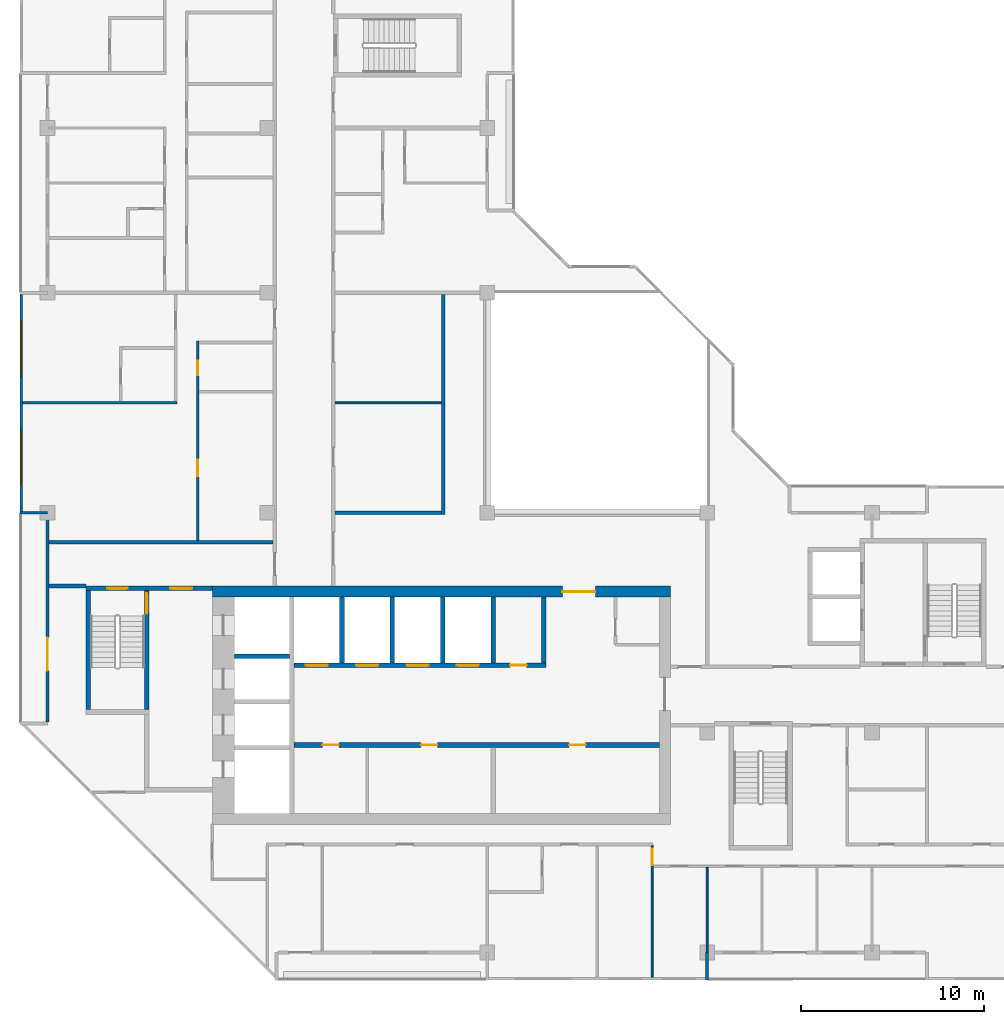
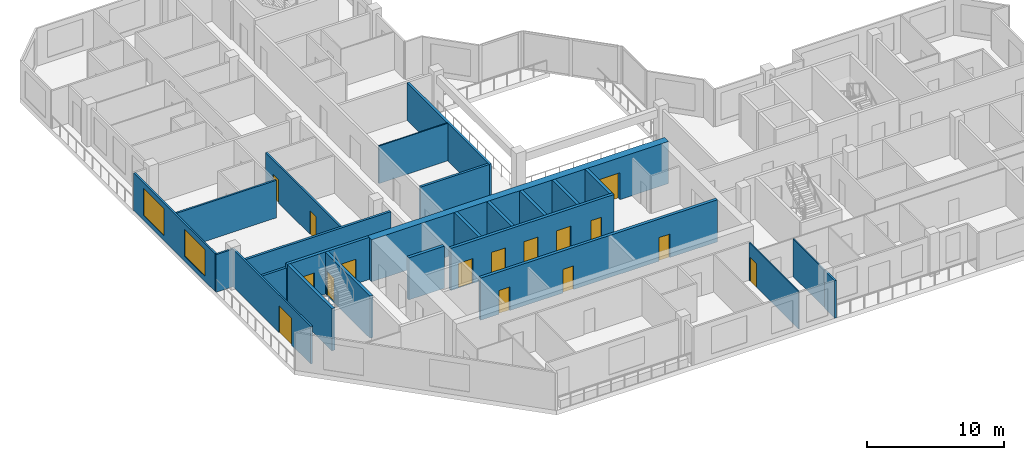
# One storey, part 5 of 13: 25 walls, 16 doors, 2 windows, 18 openings.
"""IFC4 building model written with IfcOpenShell, lengths in metres."""

from ifc_helpers import new_model, si_unit, direction, frame, frame_2d, origin, place, context, subcontext, project, spatial, rectangle, extrude, material, layer, layer_set, type_object, element, fill, save


model = new_model("IFC4")

# Units and contexts
model_context = context("Model", 3, precision=1e-05, world=origin(), true_north=direction((0.0, 1.0)))
body_context = subcontext(model_context, "Body", "Model", "MODEL_VIEW")
ifc_project = project(units=[si_unit("LENGTHUNIT", "METRE"), si_unit("AREAUNIT", "SQUARE_METRE"), si_unit("VOLUMEUNIT", "CUBIC_METRE"), si_unit("PLANEANGLEUNIT", "RADIAN"), si_unit("MASSUNIT", "GRAM", prefix="KILO")], contexts=[model_context])

# Site, building, storey
site_placement = place(None, origin())
site = spatial("IfcSite", under=ifc_project, at=site_placement, CompositionType="ELEMENT")
building_placement = place(site_placement, origin())
building = spatial("IfcBuilding", under=site, at=building_placement, Name="Chenar Terraces", CompositionType="ELEMENT")
storey_placement = place(building_placement, frame((0.0, 0.0, 299.64990234375)))
storey = spatial("IfcBuildingStorey", under=building, at=storey_placement, Name="L70", CompositionType="ELEMENT", Elevation=299.64990234375)

# Wall, openings, doors
ifc_material_1 = material(Name="Concrete C50/60", Category="concrete")
ifc_layer_1 = layer(ifc_material_1, 0.25)
ifc_layer_set_1 = layer_set([ifc_layer_1], Name="Concrete C50/60")
wall_type_1 = type_object("IfcWallType", Name="Core wall 250 Concrete C50/60", PredefinedType="SHEAR", material=ifc_layer_set_1)
wall_1_placement = place(storey_placement, frame((13.449951171875, 11.324951171875, 0.0), z_axis=(0.0, 0.0, 1.0), x_axis=(1.0, 0.0, 0.0)))
wall_1 = element("IfcWall", 1, at=wall_1_placement, inside=storey, type_object=wall_type_1, Name="Core wall SF L70", PredefinedType="SHEAR", context=body_context, shape_type="SweptSolid", body=[
    extrude(rectangle(XDim=19.949951171875, YDim=0.25, at=frame_2d((9.97509765625, 0.0))), origin(), (0.0, 0.0, 1.0), 3.75),
])
opening_1_placement = place(wall_1_placement, frame((1.550048828125, 0.0, 0.0)))
opening_1 = element("IfcOpeningElement", 2, at=opening_1_placement, cuts=wall_1, Name="Opening DL70-C12", PredefinedType="OPENING", context=body_context, shape_type="SweptSolid", body=[
    extrude(rectangle(XDim=0.89990234375, YDim=2.10009765625, at=frame_2d((0.449951171875, 1.050048828125))), frame((0.0, 0.135009765625, 0.0), z_axis=(0.0, -1.0, 0.0), x_axis=(1.0, 0.0, 0.0)), (0.0, 0.0, 1.0), 0.27001953125),
])
opening_2_placement = place(wall_1_placement, frame((6.925048828125, 0.0, 0.0)))
opening_2 = element("IfcOpeningElement", 3, at=opening_2_placement, cuts=wall_1, Name="Opening DL70-C13", PredefinedType="OPENING", context=body_context, shape_type="SweptSolid", body=[
    extrude(rectangle(XDim=0.89990234375, YDim=2.10009765625, at=frame_2d((0.449951171875, 1.050048828125))), frame((0.0, 0.135009765625, 0.0), z_axis=(0.0, -1.0, 0.0), x_axis=(1.0, 0.0, 0.0)), (0.0, 0.0, 1.0), 0.27001953125),
])
opening_3_placement = place(wall_1_placement, frame((15.02490234375, 0.0, 0.0)))
opening_3 = element("IfcOpeningElement", 4, at=opening_3_placement, cuts=wall_1, Name="Opening DL70-C14", PredefinedType="OPENING", context=body_context, shape_type="SweptSolid", body=[
    extrude(rectangle(XDim=0.89990234375, YDim=2.10009765625, at=frame_2d((0.449951171875, 1.050048828125))), frame((0.0, 0.135009765625, 0.0), z_axis=(0.0, -1.0, 0.0), x_axis=(1.0, 0.0, 0.0)), (0.0, 0.0, 1.0), 0.27001953125),
])
ifc_material_2 = material(Name="Steel-framed fire-resisting door leaf", Category="steel")
door_type_1 = type_object("IfcDoorType", Name="Riser fire door FD60 900 x 2100", OperationType="SINGLE_SWING_LEFT", PredefinedType="DOOR", material=ifc_material_2)
door_1_placement = place(opening_1_placement, frame((0.89990234375, 0.0, 0.0), z_axis=(0.0, 0.0, 1.0), x_axis=(-1.0, 0.0, 0.0)))
door_1 = element("IfcDoor", 5, at=door_1_placement, inside=storey, type_object=door_type_1, Name="Core room door DL70-C12", OperationType="SINGLE_SWING_LEFT", OverallHeight=2.10009765625, OverallWidth=0.89990234375, PredefinedType="DOOR", context=body_context, shape_type="SweptSolid", body=[
    extrude(rectangle(XDim=0.89990234375, YDim=2.10009765625, at=frame_2d((0.449951171875, 1.050048828125))), frame((0.0, 0.02490234375, 0.0), z_axis=(0.0, -1.0, 0.0), x_axis=(1.0, 0.0, 0.0)), (0.0, 0.0, 1.0), 0.050048828125),
])
fill(opening_1, door_1)
door_2_placement = place(opening_2_placement, frame((0.89990234375, 0.0, 0.0), z_axis=(0.0, 0.0, 1.0), x_axis=(-1.0, 0.0, 0.0)))
door_2 = element("IfcDoor", 6, at=door_2_placement, inside=storey, type_object=door_type_1, Name="Core room door DL70-C13", OperationType="SINGLE_SWING_RIGHT", OverallHeight=2.10009765625, OverallWidth=0.89990234375, PredefinedType="DOOR", context=body_context, shape_type="SweptSolid", body=[
    extrude(rectangle(XDim=0.89990234375, YDim=2.10009765625, at=frame_2d((0.449951171875, 1.050048828125))), frame((0.0, 0.02490234375, 0.0), z_axis=(0.0, -1.0, 0.0), x_axis=(1.0, 0.0, 0.0)), (0.0, 0.0, 1.0), 0.050048828125),
])
fill(opening_2, door_2)
door_3_placement = place(opening_3_placement, frame((0.89990234375, 0.0, 0.0), z_axis=(0.0, 0.0, 1.0), x_axis=(-1.0, 0.0, 0.0)))
door_3 = element("IfcDoor", 7, at=door_3_placement, inside=storey, type_object=door_type_1, Name="Core room door DL70-C14", OperationType="SINGLE_SWING_LEFT", OverallHeight=2.10009765625, OverallWidth=0.89990234375, PredefinedType="DOOR", context=body_context, shape_type="SweptSolid", body=[
    extrude(rectangle(XDim=0.89990234375, YDim=2.10009765625, at=frame_2d((0.449951171875, 1.050048828125))), frame((0.0, 0.02490234375, 0.0), z_axis=(0.0, -1.0, 0.0), x_axis=(1.0, 0.0, 0.0)), (0.0, 0.0, 1.0), 0.050048828125),
])
fill(opening_3, door_3)

wall_2_placement = place(storey_placement, frame((13.449951171875, 15.675048828125, 0.0), z_axis=(0.0, 0.0, 1.0), x_axis=(1.0, 0.0, 0.0)))
wall_2 = element("IfcWall", 8, at=wall_2_placement, inside=storey, type_object=wall_type_1, Name="Core wall NF L70", PredefinedType="SHEAR", context=body_context, shape_type="SweptSolid", body=[
    extrude(rectangle(XDim=13.75, YDim=0.25, at=frame_2d((6.875, 0.0))), origin(), (0.0, 0.0, 1.0), 3.75),
])
opening_4_placement = place(wall_2_placement, frame((0.64990234375, 0.0, 0.0)))
opening_4 = element("IfcOpeningElement", 9, at=opening_4_placement, cuts=wall_2, Name="Opening DL70-LD1", PredefinedType="OPENING", context=body_context, shape_type="SweptSolid", body=[
    extrude(rectangle(XDim=1.199951171875, YDim=2.199951171875, at=frame_2d((0.60009765625, 1.10009765625))), frame((0.0, 0.135009765625, 0.0), z_axis=(0.0, -1.0, 0.0), x_axis=(1.0, 0.0, 0.0)), (0.0, 0.0, 1.0), 0.27001953125),
])
opening_5_placement = place(wall_2_placement, frame((3.39990234375, 0.0, 0.0)))
opening_5 = element("IfcOpeningElement", 10, at=opening_5_placement, cuts=wall_2, Name="Opening DL70-LD2", PredefinedType="OPENING", context=body_context, shape_type="SweptSolid", body=[
    extrude(rectangle(XDim=1.199951171875, YDim=2.199951171875, at=frame_2d((0.60009765625, 1.10009765625))), frame((0.0, 0.135009765625, 0.0), z_axis=(0.0, -1.0, 0.0), x_axis=(1.0, 0.0, 0.0)), (0.0, 0.0, 1.0), 0.27001953125),
])
opening_6_placement = place(wall_2_placement, frame((6.14990234375, 0.0, 0.0)))
opening_6 = element("IfcOpeningElement", 11, at=opening_6_placement, cuts=wall_2, Name="Opening DL70-LD3", PredefinedType="OPENING", context=body_context, shape_type="SweptSolid", body=[
    extrude(rectangle(XDim=1.199951171875, YDim=2.199951171875, at=frame_2d((0.60009765625, 1.10009765625))), frame((0.0, 0.135009765625, 0.0), z_axis=(0.0, -1.0, 0.0), x_axis=(1.0, 0.0, 0.0)), (0.0, 0.0, 1.0), 0.27001953125),
])
opening_7_placement = place(wall_2_placement, frame((8.89990234375, 0.0, 0.0)))
opening_7 = element("IfcOpeningElement", 12, at=opening_7_placement, cuts=wall_2, Name="Opening DL70-LD4", PredefinedType="OPENING", context=body_context, shape_type="SweptSolid", body=[
    extrude(rectangle(XDim=1.199951171875, YDim=2.199951171875, at=frame_2d((0.60009765625, 1.10009765625))), frame((0.0, 0.135009765625, 0.0), z_axis=(0.0, -1.0, 0.0), x_axis=(1.0, 0.0, 0.0)), (0.0, 0.0, 1.0), 0.27001953125),
])
opening_8_placement = place(wall_2_placement, frame((11.800048828125, 0.0, 0.0)))
opening_8 = element("IfcOpeningElement", 13, at=opening_8_placement, cuts=wall_2, Name="Opening DL70-C15", PredefinedType="OPENING", context=body_context, shape_type="SweptSolid", body=[
    extrude(rectangle(XDim=0.89990234375, YDim=2.10009765625, at=frame_2d((0.449951171875, 1.050048828125))), frame((0.0, 0.135009765625, 0.0), z_axis=(0.0, -1.0, 0.0), x_axis=(1.0, 0.0, 0.0)), (0.0, 0.0, 1.0), 0.27001953125),
])
ifc_material_3 = material(Name="Stainless steel", Category="steel")
door_type_2 = type_object("IfcDoorType", Name="Lift landing door 1200 x 2200 sliding", OperationType="DOUBLE_DOOR_SLIDING", PredefinedType="DOOR", material=ifc_material_3)
door_4_placement = place(opening_4_placement, origin())
door_4 = element("IfcDoor", 14, at=door_4_placement, inside=storey, type_object=door_type_2, Name="Landing door H1", OperationType="DOUBLE_DOOR_SLIDING", OverallHeight=2.199951171875, OverallWidth=1.199951171875, PredefinedType="DOOR", context=body_context, shape_type="SweptSolid", body=[
    extrude(rectangle(XDim=1.199951171875, YDim=2.199951171875, at=frame_2d((0.60009765625, 1.10009765625))), frame((0.0, 0.02490234375, 0.0), z_axis=(0.0, -1.0, 0.0), x_axis=(1.0, 0.0, 0.0)), (0.0, 0.0, 1.0), 0.050048828125),
])
fill(opening_4, door_4)
door_5_placement = place(opening_5_placement, origin())
door_5 = element("IfcDoor", 15, at=door_5_placement, inside=storey, type_object=door_type_2, Name="Landing door H2", OperationType="DOUBLE_DOOR_SLIDING", OverallHeight=2.199951171875, OverallWidth=1.199951171875, PredefinedType="DOOR", context=body_context, shape_type="SweptSolid", body=[
    extrude(rectangle(XDim=1.199951171875, YDim=2.199951171875, at=frame_2d((0.60009765625, 1.10009765625))), frame((0.0, 0.02490234375, 0.0), z_axis=(0.0, -1.0, 0.0), x_axis=(1.0, 0.0, 0.0)), (0.0, 0.0, 1.0), 0.050048828125),
])
fill(opening_5, door_5)
door_6_placement = place(opening_6_placement, origin())
door_6 = element("IfcDoor", 16, at=door_6_placement, inside=storey, type_object=door_type_2, Name="Landing door H3", OperationType="DOUBLE_DOOR_SLIDING", OverallHeight=2.199951171875, OverallWidth=1.199951171875, PredefinedType="DOOR", context=body_context, shape_type="SweptSolid", body=[
    extrude(rectangle(XDim=1.199951171875, YDim=2.199951171875, at=frame_2d((0.60009765625, 1.10009765625))), frame((0.0, 0.02490234375, 0.0), z_axis=(0.0, -1.0, 0.0), x_axis=(1.0, 0.0, 0.0)), (0.0, 0.0, 1.0), 0.050048828125),
])
fill(opening_6, door_6)
door_7_placement = place(opening_7_placement, origin())
door_7 = element("IfcDoor", 17, at=door_7_placement, inside=storey, type_object=door_type_2, Name="Landing door H4", OperationType="DOUBLE_DOOR_SLIDING", OverallHeight=2.199951171875, OverallWidth=1.199951171875, PredefinedType="DOOR", context=body_context, shape_type="SweptSolid", body=[
    extrude(rectangle(XDim=1.199951171875, YDim=2.199951171875, at=frame_2d((0.60009765625, 1.10009765625))), frame((0.0, 0.02490234375, 0.0), z_axis=(0.0, -1.0, 0.0), x_axis=(1.0, 0.0, 0.0)), (0.0, 0.0, 1.0), 0.050048828125),
])
fill(opening_7, door_7)
door_8_placement = place(opening_8_placement, origin())
door_8 = element("IfcDoor", 18, at=door_8_placement, inside=storey, type_object=door_type_1, Name="Core room door DL70-C15", OperationType="SINGLE_SWING_RIGHT", OverallHeight=2.10009765625, OverallWidth=0.89990234375, PredefinedType="DOOR", context=body_context, shape_type="SweptSolid", body=[
    extrude(rectangle(XDim=0.89990234375, YDim=2.10009765625, at=frame_2d((0.449951171875, 1.050048828125))), frame((0.0, 0.02490234375, 0.0), z_axis=(0.0, -1.0, 0.0), x_axis=(1.0, 0.0, 0.0)), (0.0, 0.0, 1.0), 0.050048828125),
])
fill(opening_8, door_8)

# Walls
wall_3_placement = place(storey_placement, frame((10.199951171875, 16.175048828125, 0.0), z_axis=(0.0, 0.0, 1.0), x_axis=(1.0, 0.0, 0.0)))
element("IfcWall", 19, at=wall_3_placement, inside=storey, type_object=wall_type_1, Name="Core wall HW2 L70", PredefinedType="SHEAR", context=body_context, shape_type="SweptSolid", body=[
    extrude(rectangle(XDim=3.0, YDim=0.25, at=frame_2d((1.5, 0.0))), origin(), (0.0, 0.0, 1.0), 3.75),
])
for number, where, z_axis, x_axis, name in (
    (20, (16.074951171875, 15.800048828125, 0.0), (0.0, 0.0, 1.0), (0.0, 1.0, 0.0), "Core wall NS0 L70"),
    (21, (18.824951171875, 15.800048828125, 0.0), (0.0, 0.0, 1.0), (0.0, 1.0, 0.0), "Core wall NS1 L70"),
    (22, (21.574951171875, 15.800048828125, 0.0), (0.0, 0.0, 1.0), (0.0, 1.0, 0.0), "Core wall NS2 L70"),
    (23, (24.324951171875, 15.800048828125, 0.0), (0.0, 0.0, 1.0), (0.0, 1.0, 0.0), "Core wall NS3 L70"),
    (24, (27.074951171875, 15.800048828125, 0.0), (0.0, 0.0, 1.0), (0.0, 1.0, 0.0), "Core wall NE L70"),
):
    element("IfcWall", number, at=place(storey_placement, frame(where, z_axis=z_axis, x_axis=x_axis)), inside=storey, type_object=wall_type_1, Name=name, PredefinedType="SHEAR", context=body_context, shape_type="SweptSolid", body=[
        extrude(rectangle(XDim=3.599853515625, YDim=0.25, at=frame_2d((1.7998046875, 0.0))), origin(), (0.0, 0.0, 1.0), 3.75),
    ])

# Wall, openings, doors
wall_4_placement = place(storey_placement, frame((2.10009765625, 19.875, 0.0), z_axis=(0.0, 0.0, 1.0), x_axis=(1.0, 0.0, 0.0)))
wall_4 = element("IfcWall", 25, at=wall_4_placement, inside=storey, type_object=wall_type_1, Name="Core wall A_N L70", PredefinedType="SHEAR", context=body_context, shape_type="SweptSolid", body=[
    extrude(rectangle(XDim=6.89990234375, YDim=0.25, at=frame_2d((3.449951171875, 0.0))), origin(), (0.0, 0.0, 1.0), 3.75),
])
opening_9_placement = place(wall_4_placement, frame((1.175048828125, 0.0, 0.0)))
opening_9 = element("IfcOpeningElement", 26, at=opening_9_placement, cuts=wall_4, Name="Opening DL70-C5", PredefinedType="OPENING", context=body_context, shape_type="SweptSolid", body=[
    extrude(rectangle(XDim=1.10009765625, YDim=2.199951171875, at=frame_2d((0.550048828125, 1.10009765625))), frame((0.0, 0.135009765625, 0.0), z_axis=(0.0, -1.0, 0.0), x_axis=(1.0, 0.0, 0.0)), (0.0, 0.0, 1.0), 0.27001953125),
])
opening_10_placement = place(wall_4_placement, frame((4.60009765625, 0.0, 0.0)))
opening_10 = element("IfcOpeningElement", 27, at=opening_10_placement, cuts=wall_4, Name="Opening DL70-C6", PredefinedType="OPENING", context=body_context, shape_type="SweptSolid", body=[
    extrude(rectangle(XDim=1.199951171875, YDim=2.199951171875, at=frame_2d((0.60009765625, 1.10009765625))), frame((0.0, 0.135009765625, 0.0), z_axis=(0.0, -1.0, 0.0), x_axis=(1.0, 0.0, 0.0)), (0.0, 0.0, 1.0), 0.27001953125),
])
ifc_material_4 = material(Name="Steel-framed fire-resisting door leaf", Category="steel")
door_type_3 = type_object("IfcDoorType", Name="Lobby fire door FD60 1200 x 2200", OperationType="SINGLE_SWING_LEFT", PredefinedType="DOOR", material=ifc_material_4)
door_9_placement = place(opening_10_placement, frame((1.199951171875, 0.0, 0.0), z_axis=(0.0, 0.0, 1.0), x_axis=(-1.0, 0.0, 0.0)))
door_9 = element("IfcDoor", 28, at=door_9_placement, inside=storey, type_object=door_type_3, Name="Core door DL70-C6", OperationType="SINGLE_SWING_LEFT", OverallHeight=2.199951171875, OverallWidth=1.199951171875, PredefinedType="DOOR", context=body_context, shape_type="SweptSolid", body=[
    extrude(rectangle(XDim=1.199951171875, YDim=2.199951171875, at=frame_2d((0.60009765625, 1.10009765625))), frame((0.0, 0.02490234375, 0.0), z_axis=(0.0, -1.0, 0.0), x_axis=(1.0, 0.0, 0.0)), (0.0, 0.0, 1.0), 0.050048828125),
])
fill(opening_10, door_9)
ifc_material_5 = material(Name="Steel-framed fire-resisting door leaf", Category="steel")
door_type_4 = type_object("IfcDoorType", Name="Stair fire door FD60 1100 x 2200", OperationType="SINGLE_SWING_LEFT", PredefinedType="DOOR", material=ifc_material_5)
door_10_placement = place(opening_9_placement, origin())
door_10 = element("IfcDoor", 29, at=door_10_placement, inside=storey, type_object=door_type_4, Name="Stair door DL70-C5", OperationType="SINGLE_SWING_LEFT", OverallHeight=2.199951171875, OverallWidth=1.10009765625, PredefinedType="DOOR", context=body_context, shape_type="SweptSolid", body=[
    extrude(rectangle(XDim=1.10009765625, YDim=2.199951171875, at=frame_2d((0.550048828125, 1.10009765625))), frame((0.0, 0.02490234375, 0.0), z_axis=(0.0, -1.0, 0.0), x_axis=(1.0, 0.0, 0.0)), (0.0, 0.0, 1.0), 0.050048828125),
])
fill(opening_9, door_10)

# Wall
wall_5_placement = place(storey_placement, frame((2.22509765625, 13.25, 0.0), z_axis=(0.0, 0.0, 1.0), x_axis=(0.0, 1.0, 0.0)))
element("IfcWall", 30, at=wall_5_placement, inside=storey, type_object=wall_type_1, Name="Core wall ST1_W L70", PredefinedType="SHEAR", context=body_context, shape_type="SweptSolid", body=[
    extrude(rectangle(XDim=6.5, YDim=0.25, at=frame_2d((3.25, 0.0))), origin(), (0.0, 0.0, 1.0), 3.75),
])

# Wall, opening, door
wall_6_placement = place(storey_placement, frame((5.425048828125, 13.25, 0.0), z_axis=(0.0, 0.0, 1.0), x_axis=(0.0, 1.0, 0.0)))
wall_6 = element("IfcWall", 31, at=wall_6_placement, inside=storey, type_object=wall_type_1, Name="Core wall ST1_E L70", PredefinedType="SHEAR", context=body_context, shape_type="SweptSolid", body=[
    extrude(rectangle(XDim=6.5, YDim=0.25, at=frame_2d((3.25, 0.0))), origin(), (0.0, 0.0, 1.0), 3.75),
])
opening_11_placement = place(wall_6_placement, frame((5.25, 0.0, 0.0)))
opening_11 = element("IfcOpeningElement", 32, at=opening_11_placement, cuts=wall_6, Name="Opening DL70-C3", PredefinedType="OPENING", context=body_context, shape_type="SweptSolid", body=[
    extrude(rectangle(XDim=1.10009765625, YDim=2.199951171875, at=frame_2d((0.550048828125, 1.10009765625))), frame((0.0, 0.135009765625, 0.0), z_axis=(0.0, -1.0, 0.0), x_axis=(1.0, 0.0, 0.0)), (0.0, 0.0, 1.0), 0.27001953125),
])
door_11_placement = place(opening_11_placement, origin())
door_11 = element("IfcDoor", 33, at=door_11_placement, inside=storey, type_object=door_type_4, Name="Stair door DL70-C3", OperationType="SINGLE_SWING_RIGHT", OverallHeight=2.199951171875, OverallWidth=1.10009765625, PredefinedType="DOOR", context=body_context, shape_type="SweptSolid", body=[
    extrude(rectangle(XDim=1.10009765625, YDim=2.199951171875, at=frame_2d((0.550048828125, 1.10009765625))), frame((0.0, 0.02490234375, 0.0), z_axis=(0.0, -1.0, 0.0), x_axis=(1.0, 0.0, 0.0)), (0.0, 0.0, 1.0), 0.050048828125),
])
fill(opening_11, door_11)

ifc_material_6 = material(Name="Concrete C50/60", Category="concrete")
ifc_layer_2 = layer(ifc_material_6, 0.60009765625)
ifc_layer_set_2 = layer_set([ifc_layer_2], Name="Concrete C50/60")
wall_type_2 = type_object("IfcWallType", Name="Core wall 600 Concrete C50/60", PredefinedType="SHEAR", material=ifc_layer_set_2)
wall_7_placement = place(storey_placement, frame((9.0, 19.699951171875, 0.0), z_axis=(0.0, 0.0, 1.0), x_axis=(1.0, 0.0, 0.0)))
wall_7 = element("IfcWall", 34, at=wall_7_placement, inside=storey, type_object=wall_type_2, Name="Core wall N L70", PredefinedType="SHEAR", context=body_context, shape_type="SweptSolid", body=[
    extrude(rectangle(XDim=25.0, YDim=0.60009765625, at=frame_2d((12.5, 0.0))), origin(), (0.0, 0.0, 1.0), 3.75),
])
opening_12_placement = place(wall_7_placement, frame((19.10009765625, 0.0, 0.0)))
opening_12 = element("IfcOpeningElement", 35, at=opening_12_placement, cuts=wall_7, Name="Opening DL70-C2", PredefinedType="OPENING", context=body_context, shape_type="SweptSolid", body=[
    extrude(rectangle(XDim=1.800048828125, YDim=2.39990234375, at=frame_2d((0.89990234375, 1.199951171875))), frame((0.0, 0.31005859375, 0.0), z_axis=(0.0, -1.0, 0.0), x_axis=(1.0, 0.0, 0.0)), (0.0, 0.0, 1.0), 0.6201171875),
])
ifc_material_7 = material(Name="Steel-framed fire-resisting door leaf", Category="steel")
door_type_5 = type_object("IfcDoorType", Name="Core entrance double fire door FD60 1800 x 2400", OperationType="DOUBLE_DOOR_SINGLE_SWING", PredefinedType="DOOR", material=ifc_material_7)
door_12_placement = place(opening_12_placement, frame((1.800048828125, 0.0, 0.0), z_axis=(0.0, 0.0, 1.0), x_axis=(-1.0, 0.0, 0.0)))
door_12 = element("IfcDoor", 36, at=door_12_placement, inside=storey, type_object=door_type_5, Name="Core door DL70-C2", OperationType="DOUBLE_DOOR_SINGLE_SWING", OverallHeight=2.39990234375, OverallWidth=1.800048828125, PredefinedType="DOOR", context=body_context, shape_type="SweptSolid", body=[
    extrude(rectangle(XDim=1.800048828125, YDim=2.39990234375, at=frame_2d((0.89990234375, 1.199951171875))), frame((0.0, 0.02490234375, 0.0), z_axis=(0.0, -1.0, 0.0), x_axis=(1.0, 0.0, 0.0)), (0.0, 0.0, 1.0), 0.050048828125),
])
fill(opening_12, door_12)

# Walls
ifc_material_8 = material(Name="Gypsum board on steel studs with fire boards", Category="steel")
ifc_layer_3 = layer(ifc_material_8, 0.199951171875)
ifc_layer_set_3 = layer_set([ifc_layer_3], Name="Gypsum board on steel studs with fire boards")
wall_type_3 = type_object("IfcWallType", Name="Corridor wall 200", PredefinedType="PARTITIONING", material=ifc_layer_set_3)
wall_8_placement = place(storey_placement, frame((0.073974609375, 20.0, 0.0), z_axis=(0.0, 0.0, 1.0), x_axis=(1.0, 0.0, 0.0)))
element("IfcWall", 37, at=wall_8_placement, inside=storey, type_object=wall_type_3, Name="Partition L70-004", PredefinedType="PARTITIONING", context=body_context, shape_type="SweptSolid", body=[
    extrude(rectangle(XDim=2.026123046875, YDim=0.199951171875, at=frame_2d((1.01318359375, 0.0))), origin(), (0.0, 0.0, 1.0), 3.35009765625),
])
wall_9_placement = place(storey_placement, frame((0.073974609375, 22.39990234375, 0.0), z_axis=(0.0, 0.0, 1.0), x_axis=(1.0, 0.0, 0.0)))
element("IfcWall", 38, at=wall_9_placement, inside=storey, type_object=wall_type_3, Name="Partition L70-005", PredefinedType="PARTITIONING", context=body_context, shape_type="SweptSolid", body=[
    extrude(rectangle(XDim=12.22607421875, YDim=0.199951171875, at=frame_2d((6.113037109375, 0.0))), origin(), (0.0, 0.0, 1.0), 3.35009765625),
])
wall_10_placement = place(storey_placement, frame((15.699951171875, 24.0, 0.0), z_axis=(0.0, 0.0, 1.0), x_axis=(1.0, 0.0, 0.0)))
element("IfcWall", 39, at=wall_10_placement, inside=storey, type_object=wall_type_3, Name="Partition L70-035", PredefinedType="PARTITIONING", context=body_context, shape_type="SweptSolid", body=[
    extrude(rectangle(XDim=5.800048828125, YDim=0.199951171875, at=frame_2d((2.89990234375, 0.0))), origin(), (0.0, 0.0, 1.0), 3.35009765625),
])
wall_11_placement = place(storey_placement, frame((21.60009765625, 23.89990234375, 0.0), z_axis=(0.0, 0.0, 1.0), x_axis=(0.0, 1.0, 0.0)))
element("IfcWall", 40, at=wall_11_placement, inside=storey, type_object=wall_type_3, Name="Partition L70-044", PredefinedType="PARTITIONING", context=body_context, shape_type="SweptSolid", body=[
    extrude(rectangle(XDim=12.0, YDim=0.199951171875, at=frame_2d((6.0, 0.0))), origin(), (0.0, 0.0, 1.0), 3.35009765625),
])

# Wall, openings, windows
ifc_material_9 = material(Name="Aluminium framed glazing", Category="aluminium")
ifc_layer_4 = layer(ifc_material_9, 0.14990234375)
ifc_layer_set_4 = layer_set([ifc_layer_4], Name="Aluminium framed glazing")
wall_type_4 = type_object("IfcWallType", Name="Glazed flush facade wall 150", PredefinedType="SOLIDWALL", material=ifc_layer_set_4)
wall_12_placement = place(storey_placement, frame((-1.425048828125, 35.925048828125, 0.0), z_axis=(0.0, 0.0, 1.0), x_axis=(0.0, -1.0, 0.0)))
wall_12 = element("IfcWall", 41, at=wall_12_placement, inside=storey, type_object=wall_type_4, Name="Glazed flush facade wall", PredefinedType="SOLIDWALL", context=body_context, shape_type="SweptSolid", body=[
    extrude(rectangle(XDim=11.85009765625, YDim=0.14990234375, at=frame_2d((5.925048828125, 0.0))), origin(), (0.0, 0.0, 1.0), 3.35009765625),
])
opening_13_placement = place(wall_12_placement, frame((1.46240234375, 0.0, 0.449951171875)))
opening_13 = element("IfcOpeningElement", 42, at=opening_13_placement, cuts=wall_12, Name="Opening W300x240", PredefinedType="OPENING", context=body_context, shape_type="SweptSolid", body=[
    extrude(rectangle(XDim=3.0, YDim=2.39990234375, at=frame_2d((1.5, 1.199951171875))), frame((0.0, 0.0849609375, 0.0), z_axis=(0.0, -1.0, 0.0), x_axis=(1.0, 0.0, 0.0)), (0.0, 0.0, 1.0), 0.169921875),
])
opening_14_placement = place(wall_12_placement, frame((7.387451171875, 0.0, 0.449951171875)))
opening_14 = element("IfcOpeningElement", 43, at=opening_14_placement, cuts=wall_12, Name="Opening W300x240", PredefinedType="OPENING", context=body_context, shape_type="SweptSolid", body=[
    extrude(rectangle(XDim=3.0, YDim=2.39990234375, at=frame_2d((1.5, 1.199951171875))), frame((0.0, 0.0849609375, 0.0), z_axis=(0.0, -1.0, 0.0), x_axis=(1.0, 0.0, 0.0)), (0.0, 0.0, 1.0), 0.169921875),
])
ifc_material_10 = material(Name="Low emissivity double glazing, aluminium frame", Category="aluminium")
window_type = type_object("IfcWindowType", Name="Fixed light 3000 x 2400", PartitioningType="SINGLE_PANEL", PredefinedType="WINDOW", material=ifc_material_10)
window_1_placement = place(opening_13_placement, origin())
window_1 = element("IfcWindow", 44, at=window_1_placement, inside=storey, type_object=window_type, Name="Window", OverallHeight=2.39990234375, OverallWidth=3.0, PartitioningType="SINGLE_PANEL", PredefinedType="WINDOW", context=body_context, shape_type="SweptSolid", body=[
    extrude(rectangle(XDim=3.0, YDim=2.39990234375, at=frame_2d((1.5, 1.199951171875))), frame((0.0, 0.030029296875, 0.0), z_axis=(0.0, -1.0, 0.0), x_axis=(1.0, 0.0, 0.0)), (0.0, 0.0, 1.0), 0.06005859375),
])
fill(opening_13, window_1)
window_2_placement = place(opening_14_placement, origin())
window_2 = element("IfcWindow", 45, at=window_2_placement, inside=storey, type_object=window_type, Name="Window", OverallHeight=2.39990234375, OverallWidth=3.0, PartitioningType="SINGLE_PANEL", PredefinedType="WINDOW", context=body_context, shape_type="SweptSolid", body=[
    extrude(rectangle(XDim=3.0, YDim=2.39990234375, at=frame_2d((1.5, 1.199951171875))), frame((0.0, 0.030029296875, 0.0), z_axis=(0.0, -1.0, 0.0), x_axis=(1.0, 0.0, 0.0)), (0.0, 0.0, 1.0), 0.06005859375),
])
fill(opening_14, window_2)

# Wall, opening, door
ifc_material_11 = material(Name="Aluminium framed glazing", Category="aluminium")
ifc_layer_5 = layer(ifc_material_11, 0.14990234375)
ifc_layer_set_5 = layer_set([ifc_layer_5], Name="Aluminium framed glazing")
wall_type_5 = type_object("IfcWallType", Name="Glazed loggia back wall 150", PredefinedType="SOLIDWALL", material=ifc_layer_set_5)
wall_13_placement = place(storey_placement, frame((0.0, 23.925048828125, 0.0), z_axis=(0.0, 0.0, 1.0), x_axis=(0.0, -1.0, 0.0)))
wall_13 = element("IfcWall", 46, at=wall_13_placement, inside=storey, type_object=wall_type_5, Name="Glazed loggia back wall", PredefinedType="SOLIDWALL", context=body_context, shape_type="SweptSolid", body=[
    extrude(rectangle(XDim=11.35009765625, YDim=0.14990234375, at=frame_2d((5.675048828125, 0.0))), origin(), (0.0, 0.0, 1.0), 3.35009765625),
])
opening_15_placement = place(wall_13_placement, frame((6.737548828125, 0.0, 0.0)))
opening_15 = element("IfcOpeningElement", 47, at=opening_15_placement, cuts=wall_13, Name="Opening DL70-G3", PredefinedType="OPENING", context=body_context, shape_type="SweptSolid", body=[
    extrude(rectangle(XDim=1.800048828125, YDim=2.39990234375, at=frame_2d((0.89990234375, 1.199951171875))), frame((0.0, 0.0849609375, 0.0), z_axis=(0.0, -1.0, 0.0), x_axis=(1.0, 0.0, 0.0)), (0.0, 0.0, 1.0), 0.169921875),
])
ifc_material_12 = material(Name="Low emissivity double glazing, aluminium frame", Category="aluminium")
door_type_6 = type_object("IfcDoorType", Name="Loggia glazed double door 1800 x 2400", OperationType="DOUBLE_DOOR_SINGLE_SWING", PredefinedType="DOOR", material=ifc_material_12)
door_13_placement = place(opening_15_placement, frame((1.800048828125, 0.0, 0.0), z_axis=(0.0, 0.0, 1.0), x_axis=(-1.0, 0.0, 0.0)))
door_13 = element("IfcDoor", 48, at=door_13_placement, inside=storey, type_object=door_type_6, Name="Loggia glazed door", OperationType="DOUBLE_DOOR_SINGLE_SWING", OverallHeight=2.39990234375, OverallWidth=1.800048828125, PredefinedType="DOOR", context=body_context, shape_type="SweptSolid", body=[
    extrude(rectangle(XDim=1.800048828125, YDim=2.39990234375, at=frame_2d((0.89990234375, 1.199951171875))), frame((0.0, 0.02490234375, 0.0), z_axis=(0.0, -1.0, 0.0), x_axis=(1.0, 0.0, 0.0)), (0.0, 0.0, 1.0), 0.050048828125),
])
fill(opening_15, door_13)

# Wall
ifc_material_13 = material(Name="Gypsum board on steel studs", Category="steel")
ifc_layer_6 = layer(ifc_material_13, 0.10009765625)
ifc_layer_set_6 = layer_set([ifc_layer_6], Name="Gypsum board on steel studs")
wall_type_6 = type_object("IfcWallType", Name="Gypsum partition 100", PredefinedType="PARTITIONING", material=ifc_layer_set_6)
wall_14_placement = place(storey_placement, frame((15.699951171875, 30.0, 0.0), z_axis=(0.0, 0.0, 1.0), x_axis=(1.0, 0.0, 0.0)))
element("IfcWall", 49, at=wall_14_placement, inside=storey, type_object=wall_type_6, Name="Partition L70-036", PredefinedType="PARTITIONING", context=body_context, shape_type="SweptSolid", body=[
    extrude(rectangle(XDim=5.800048828125, YDim=0.10009765625, at=frame_2d((2.89990234375, 0.0))), origin(), (0.0, 0.0, 1.0), 3.35009765625),
])

# Wall, opening, door
wall_15_placement = place(storey_placement, frame((33.0, -1.35107421875, 0.0), z_axis=(0.0, 0.0, 1.0), x_axis=(0.0, 1.0, 0.0)))
wall_15 = element("IfcWall", 50, at=wall_15_placement, inside=storey, type_object=wall_type_6, Name="Partition L70-049", PredefinedType="PARTITIONING", context=body_context, shape_type="SweptSolid", body=[
    extrude(rectangle(XDim=7.176025390625, YDim=0.10009765625, at=frame_2d((3.587890625, 0.0))), origin(), (0.0, 0.0, 1.0), 3.35009765625),
])
opening_16_placement = place(wall_15_placement, frame((6.1259765625, 0.0, 0.0)))
opening_16 = element("IfcOpeningElement", 51, at=opening_16_placement, cuts=wall_15, Name="Opening DL70-34", PredefinedType="OPENING", context=body_context, shape_type="SweptSolid", body=[
    extrude(rectangle(XDim=0.89990234375, YDim=2.10009765625, at=frame_2d((0.449951171875, 1.050048828125))), frame((0.0, 0.06005859375, 0.0), z_axis=(0.0, -1.0, 0.0), x_axis=(1.0, 0.0, 0.0)), (0.0, 0.0, 1.0), 0.1201171875),
])
ifc_material_14 = material(Name="Veneered timber door leaf", Category="wood")
door_type_7 = type_object("IfcDoorType", Name="Door 900 x 2100", OperationType="SINGLE_SWING_LEFT", PredefinedType="DOOR", material=ifc_material_14)
door_14_placement = place(opening_16_placement, origin())
door_14 = element("IfcDoor", 52, at=door_14_placement, inside=storey, type_object=door_type_7, Name="Door DL70-34", OperationType="SINGLE_SWING_RIGHT", OverallHeight=2.10009765625, OverallWidth=0.89990234375, PredefinedType="DOOR", context=body_context, shape_type="SweptSolid", body=[
    extrude(rectangle(XDim=0.89990234375, YDim=2.10009765625, at=frame_2d((0.449951171875, 1.050048828125))), frame((0.0, 0.02490234375, 0.0), z_axis=(0.0, -1.0, 0.0), x_axis=(1.0, 0.0, 0.0)), (0.0, 0.0, 1.0), 0.050048828125),
])
fill(opening_16, door_14)

# Walls
wall_16_placement = place(storey_placement, frame((36.0, 0.0, 0.0), z_axis=(0.0, 0.0, 1.0), x_axis=(0.0, 1.0, 0.0)))
element("IfcWall", 53, at=wall_16_placement, inside=storey, type_object=wall_type_6, Name="Partition L70-053", PredefinedType="PARTITIONING", context=body_context, shape_type="SweptSolid", body=[
    extrude(rectangle(XDim=4.64990234375, YDim=0.10009765625, at=frame_2d((2.324951171875, 0.0))), origin(), (0.0, 0.0, 1.0), 3.35009765625),
])
ifc_material_15 = material(Name="Terracotta cladding on insulated backing", Category="masonry")
ifc_layer_7 = layer(ifc_material_15, 0.14990234375)
ifc_layer_set_7 = layer_set([ifc_layer_7], Name="Terracotta cladding on insulated backing")
wall_type_7 = type_object("IfcWallType", Name="Loggia return wall 150", PredefinedType="SOLIDWALL", material=ifc_layer_set_7)
for number, where, z_axis, x_axis, name in (
    (54, (-1.5, 24.0, 0.0), (0.0, 0.0, 1.0), (1.0, 0.0, 0.0), "Loggia return wall"),
    (55, (36.0, -1.5, 0.0), (0.0, 0.0, 1.0), (0.0, 1.0, 0.0), "Loggia return wall"),
):
    element("IfcWall", number, at=place(storey_placement, frame(where, z_axis=z_axis, x_axis=x_axis)), inside=storey, type_object=wall_type_7, Name=name, PredefinedType="SOLIDWALL", context=body_context, shape_type="SweptSolid", body=[
        extrude(rectangle(XDim=1.5, YDim=0.14990234375, at=frame_2d((0.75, 0.0))), origin(), (0.0, 0.0, 1.0), 3.35009765625),
    ])
ifc_material_16 = material(Name="Moisture-resistant gypsum board on steel studs", Category="steel")
ifc_layer_8 = layer(ifc_material_16, 0.14990234375)
ifc_layer_set_8 = layer_set([ifc_layer_8], Name="Moisture-resistant gypsum board on steel studs")
wall_type_8 = type_object("IfcWallType", Name="Wet-room partition 150", PredefinedType="PARTITIONING", material=ifc_layer_set_8)
wall_17_placement = place(storey_placement, frame((-1.35009765625, 30.0, 0.0), z_axis=(0.0, 0.0, 1.0), x_axis=(1.0, 0.0, 0.0)))
element("IfcWall", 56, at=wall_17_placement, inside=storey, type_object=wall_type_8, Name="Partition L70-001", PredefinedType="PARTITIONING", context=body_context, shape_type="SweptSolid", body=[
    extrude(rectangle(XDim=8.425048828125, YDim=0.14990234375, at=frame_2d((4.21240234375, 0.0))), origin(), (0.0, 0.0, 1.0), 3.35009765625),
])

# Wall, openings, doors
wall_18_placement = place(storey_placement, frame((8.199951171875, 22.5, 0.0), z_axis=(0.0, 0.0, 1.0), x_axis=(0.0, 1.0, 0.0)))
wall_18 = element("IfcWall", 57, at=wall_18_placement, inside=storey, type_object=wall_type_8, Name="Partition L70-024", PredefinedType="PARTITIONING", context=body_context, shape_type="SweptSolid", body=[
    extrude(rectangle(XDim=10.875, YDim=0.14990234375, at=frame_2d((5.4375, 0.0))), origin(), (0.0, 0.0, 1.0), 3.35009765625),
])
opening_17_placement = place(wall_18_placement, frame((9.0, 0.0, 0.0)))
opening_17 = element("IfcOpeningElement", 58, at=opening_17_placement, cuts=wall_18, Name="Opening DL70-48", PredefinedType="OPENING", context=body_context, shape_type="SweptSolid", body=[
    extrude(rectangle(XDim=0.800048828125, YDim=2.10009765625, at=frame_2d((0.39990234375, 1.050048828125))), frame((0.0, 0.0849609375, 0.0), z_axis=(0.0, -1.0, 0.0), x_axis=(1.0, 0.0, 0.0)), (0.0, 0.0, 1.0), 0.169921875),
])
opening_18_placement = place(wall_18_placement, frame((3.5, 0.0, 0.0)))
opening_18 = element("IfcOpeningElement", 59, at=opening_18_placement, cuts=wall_18, Name="Opening DL70-51", PredefinedType="OPENING", context=body_context, shape_type="SweptSolid", body=[
    extrude(rectangle(XDim=0.89990234375, YDim=2.10009765625, at=frame_2d((0.449951171875, 1.050048828125))), frame((0.0, 0.0849609375, 0.0), z_axis=(0.0, -1.0, 0.0), x_axis=(1.0, 0.0, 0.0)), (0.0, 0.0, 1.0), 0.169921875),
])
ifc_material_17 = material(Name="Veneered timber door leaf", Category="wood")
door_type_8 = type_object("IfcDoorType", Name="Door 800 x 2100", OperationType="SINGLE_SWING_LEFT", PredefinedType="DOOR", material=ifc_material_17)
door_15_placement = place(opening_17_placement, frame((0.800048828125, 0.0, 0.0), z_axis=(0.0, 0.0, 1.0), x_axis=(-1.0, 0.0, 0.0)))
door_15 = element("IfcDoor", 60, at=door_15_placement, inside=storey, type_object=door_type_8, Name="Door DL70-48", OperationType="SINGLE_SWING_RIGHT", OverallHeight=2.10009765625, OverallWidth=0.800048828125, PredefinedType="DOOR", context=body_context, shape_type="SweptSolid", body=[
    extrude(rectangle(XDim=0.800048828125, YDim=2.10009765625, at=frame_2d((0.39990234375, 1.050048828125))), frame((0.0, 0.02490234375, 0.0), z_axis=(0.0, -1.0, 0.0), x_axis=(1.0, 0.0, 0.0)), (0.0, 0.0, 1.0), 0.050048828125),
])
fill(opening_17, door_15)
door_16_placement = place(opening_18_placement, frame((0.89990234375, 0.0, 0.0), z_axis=(0.0, 0.0, 1.0), x_axis=(-1.0, 0.0, 0.0)))
door_16 = element("IfcDoor", 61, at=door_16_placement, inside=storey, type_object=door_type_7, Name="Door DL70-51", OperationType="SINGLE_SWING_RIGHT", OverallHeight=2.10009765625, OverallWidth=0.89990234375, PredefinedType="DOOR", context=body_context, shape_type="SweptSolid", body=[
    extrude(rectangle(XDim=0.89990234375, YDim=2.10009765625, at=frame_2d((0.449951171875, 1.050048828125))), frame((0.0, 0.02490234375, 0.0), z_axis=(0.0, -1.0, 0.0), x_axis=(1.0, 0.0, 0.0)), (0.0, 0.0, 1.0), 0.050048828125),
])
fill(opening_18, door_16)

save(model, "model.ifc")
